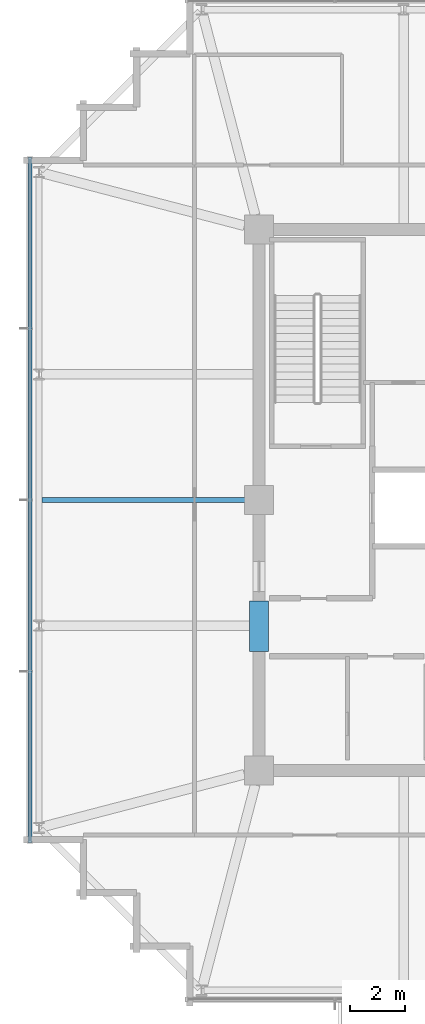
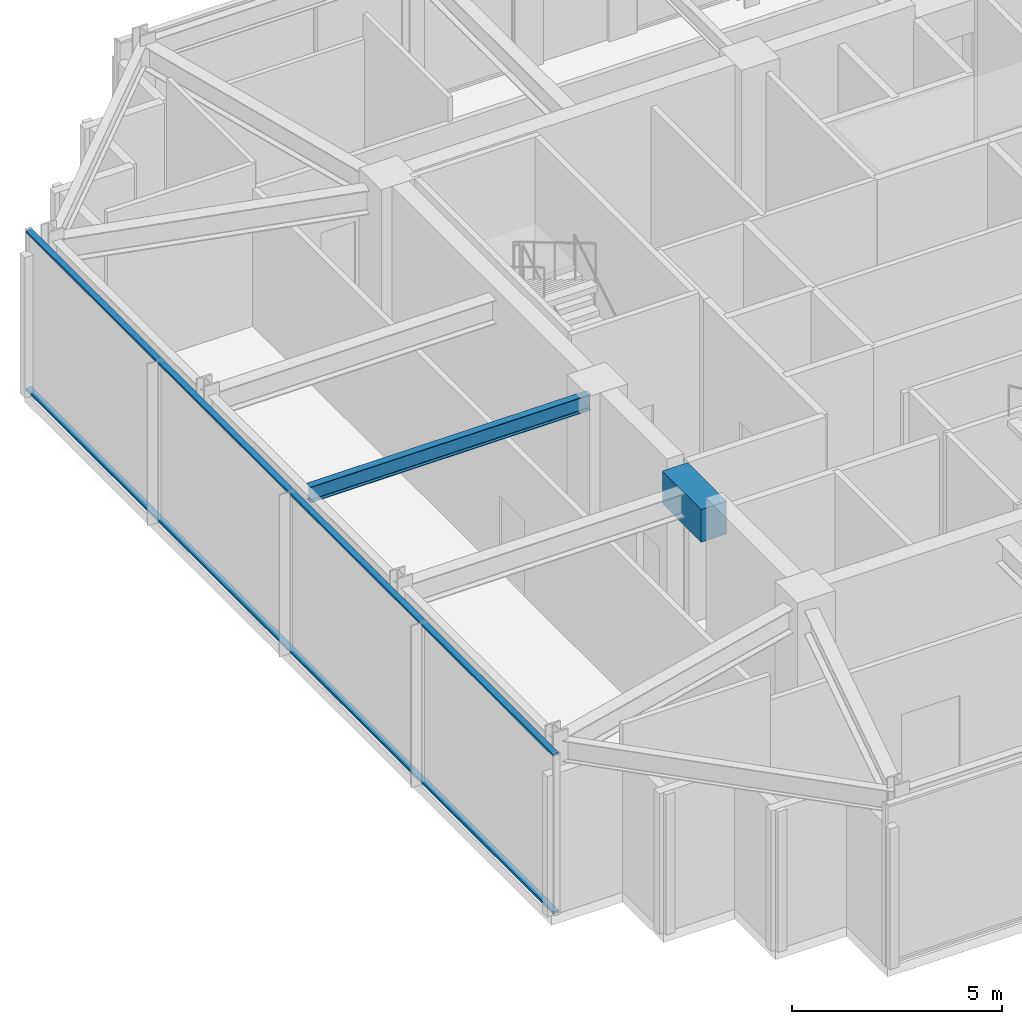
# One storey, part 8 of 31: 2 beams, 2 members, 1 element without a shape of its own.
"""IFC4 building model written with IfcOpenShell, lengths in metres."""

import ifcopenshell
import ifcopenshell.guid

model = None  # the IFC model being written
_history = None  # IfcOwnerHistory: only IFC2X3 demands one
_inside = {}  # id of a spatial element -> (the spatial element, [elements in it])
_under = {}  # id of a project, library or spatial element -> (it, [spatial elements below it])
_declared = {}  # id of a project -> (the project, [libraries it declares])
_typed = {}  # id of a type object -> (the type object, [elements of that type])
_made_of = {}  # id of a material, layer set ... -> (it, [elements and type objects made of it])


def new_model(schema):
    """Start an empty IFC model of exactly this schema.

    Asked for "IFC4X3", IfcOpenShell would pick the latest addendum, in which some entities
    have other attributes; the version numbers below select the first issue.
    IFC2X3 requires an IfcOwnerHistory on every rooted entity: one is made here for all.
    """
    global model, _history
    if schema == "IFC4X3":
        model = ifcopenshell.file(schema_version=(4, 3, 0, 0))
    else:
        model = ifcopenshell.file(schema=schema)
    _inside.clear()
    _under.clear()
    _declared.clear()
    _typed.clear()
    _made_of.clear()
    _history = None
    if model.schema == "IFC2X3":
        org = make("IfcOrganization", Name="unknown")
        user = make(
            "IfcPersonAndOrganization",
            ThePerson=make("IfcPerson", FamilyName="unknown"),
            TheOrganization=org,
        )
        app = make(
            "IfcApplication",
            ApplicationDeveloper=org,
            Version="unknown",
            ApplicationFullName="unknown",
            ApplicationIdentifier="unknown",
        )
        _history = make(
            "IfcOwnerHistory",
            OwningUser=user,
            OwningApplication=app,
            ChangeAction="ADDED",
            CreationDate=0,
        )
    return model


def make(cls, **values):
    """One entity of the class cls with the attributes given. An attribute that is None is left unset."""
    return model.create_entity(
        cls, **{name: value for name, value in values.items() if value is not None}
    )


def rooted(cls, **values):
    """An entity with a GlobalId (a new one), such as an element, a storey or a relation."""
    return make(cls, GlobalId=ifcopenshell.guid.new(), OwnerHistory=_history, **values)


def si_unit(unit_type, name, prefix=None):
    """IfcSIUnit, for example si_unit("LENGTHUNIT", "METRE", prefix="MILLI")."""
    return make("IfcSIUnit", UnitType=unit_type, Prefix=prefix, Name=name)


def assignment(units):
    """IfcUnitAssignment: the units of a project."""
    return None if units is None else make("IfcUnitAssignment", Units=units)


def point(xyz):
    """IfcCartesianPoint."""
    return None if xyz is None else make("IfcCartesianPoint", Coordinates=xyz)


def direction(xyz):
    """IfcDirection."""
    return None if xyz is None else make("IfcDirection", DirectionRatios=xyz)


def frame(location, z_axis=None, x_axis=None):
    """IfcAxis2Placement3D, a coordinate frame: its origin and axes. An axis left out is left unset."""
    return make(
        "IfcAxis2Placement3D",
        Location=point(location),
        Axis=direction(z_axis),
        RefDirection=direction(x_axis),
    )


def frame_2d(location, x_axis=None):
    """IfcAxis2Placement2D, a coordinate frame in the plane: its origin and x axis."""
    return make(
        "IfcAxis2Placement2D", Location=point(location), RefDirection=direction(x_axis)
    )


def origin():
    """The frame at (0, 0, 0) with its axes left unset."""
    return frame((0.0, 0.0, 0.0))


def origin_2d():
    """The frame at (0, 0) in the plane with its x axis left unset."""
    return frame_2d((0.0, 0.0))


def place(relative_to, where):
    """IfcLocalPlacement: puts the frame where relative to a parent placement (None: the world)."""
    return make(
        "IfcLocalPlacement", PlacementRelTo=relative_to, RelativePlacement=where
    )


def context(
    kind, dimensions, precision=None, world=None, true_north=None, identifier=None
):
    """IfcGeometricRepresentationContext, for example the 3D "Model" context."""
    return make(
        "IfcGeometricRepresentationContext",
        ContextIdentifier=identifier,
        ContextType=kind,
        CoordinateSpaceDimension=dimensions,
        Precision=precision,
        WorldCoordinateSystem=world,
        TrueNorth=true_north,
    )


def subcontext(parent, identifier, kind, view, scale=None):
    """IfcGeometricRepresentationSubContext, for example "Body" below "Model"."""
    return make(
        "IfcGeometricRepresentationSubContext",
        ContextIdentifier=identifier,
        ContextType=kind,
        ParentContext=parent,
        TargetScale=scale,
        TargetView=view,
    )


def project(units=None, contexts=None):
    """IfcProject with its units and contexts."""
    return rooted(
        "IfcProject",
        Name="project",
        RepresentationContexts=contexts,
        UnitsInContext=assignment(units),
    )


def spatial(cls, under=None, at=None, **own):
    """A site, building, storey or space (cls), placed at a placement, below another one or the project."""
    s = rooted(cls, ObjectPlacement=at, **own)
    if under is not None:
        _under.setdefault(under.id(), (under, []))[1].append(s)
    return s


def profile(cls, at=None, kind="AREA", **sizes):
    """A parametric profile (cls). Its sizes go by their IFC names, for example OverallWidth=200.0."""
    return make(cls, ProfileType=kind, Position=at, **sizes)


def rectangle(**sizes):
    """IfcRectangleProfileDef."""
    return profile("IfcRectangleProfileDef", **sizes)


def hollow_rectangle(**sizes):
    """IfcRectangleHollowProfileDef."""
    return profile("IfcRectangleHollowProfileDef", **sizes)


def i_section(**sizes):
    """IfcIShapeProfileDef."""
    return profile("IfcIShapeProfileDef", **sizes)


def extrude(swept, where, along, depth):
    """IfcExtrudedAreaSolid: the profile swept, set in the frame where, extruded along a direction by depth."""
    return make(
        "IfcExtrudedAreaSolid",
        SweptArea=swept,
        Position=where,
        ExtrudedDirection=direction(along),
        Depth=depth,
    )


def shape(context_of_items, identifier, shape_type, items):
    """IfcShapeRepresentation: the items that make up one representation, for example the "Body"."""
    return make(
        "IfcShapeRepresentation",
        ContextOfItems=context_of_items,
        RepresentationIdentifier=identifier,
        RepresentationType=shape_type,
        Items=items,
    )


def material(Name=None, Category=None):
    """IfcMaterial."""
    return make("IfcMaterial", Name=Name, Category=Category)


def material_profile(
    of_material, cross_section, Name=None, Category=None, Priority=None
):
    """IfcMaterialProfile: a cross section and its material."""
    return make(
        "IfcMaterialProfile",
        Name=Name,
        Material=of_material,
        Profile=cross_section,
        Priority=Priority,
        Category=Category,
    )


def profile_set(profiles, Name=None, composite=None):
    """IfcMaterialProfileSet."""
    return make(
        "IfcMaterialProfileSet",
        Name=Name,
        MaterialProfiles=profiles,
        CompositeProfile=composite,
    )


def made_of(thing, what):
    """Note that an element or type object is made of a material, layer set ...; save() writes the relation."""
    if what is not None:
        _made_of.setdefault(what.id(), (what, []))[1].append(thing)
    return thing


def type_object(cls, material=None, **own):
    """A type object (cls), such as IfcWallType, which elements share."""
    return made_of(rooted(cls, **own), material)


def element(
    cls,
    number,
    at=None,
    inside=None,
    cuts=None,
    type_object=None,
    material=None,
    context=None,
    identifier="Body",
    shape_type=None,
    held_by="IfcProductDefinitionShape",
    body=None,
    shapes=None,
    **own,
):
    """One element of the class cls, such as IfcWall. Its Tag is "e" and its number.

    at: its placement. inside: the storey or other place that contains it. cuts: it is an
    opening in that element (IfcRelVoidsElement). A single representation is given by context,
    identifier, shape_type and body (its items); several are given by shapes. held_by: the class
    of the entity that holds the representations. save() writes the other relations.
    """
    e = rooted(cls, Tag="e%d" % number, ObjectPlacement=at, **own)
    if body is not None:
        shapes = [shape(context, identifier, shape_type, body)]
    if shapes is not None:
        e.Representation = make(held_by, Representations=shapes)
    if inside is not None:
        _inside.setdefault(inside.id(), (inside, []))[1].append(e)
    if cuts is not None:
        rooted(
            "IfcRelVoidsElement", RelatingBuildingElement=cuts, RelatedOpeningElement=e
        )
    if type_object is not None:
        _typed.setdefault(type_object.id(), (type_object, []))[1].append(e)
    return made_of(e, material)


def aggregate(whole, parts):
    """IfcRelAggregates: a whole, such as a stair, and the parts it consists of."""
    return rooted("IfcRelAggregates", RelatingObject=whole, RelatedObjects=parts)


def save(model, path):
    """Write the relations noted so far, then the file.

    IfcRelAggregates (storeys below a building ...), IfcRelContainedInSpatialStructure (elements
    in a storey), IfcRelDefinesByType, IfcRelAssociatesMaterial and IfcRelDeclares: one each for
    every whole, place, type object, material and project.
    """
    for whole, parts in _under.values():
        aggregate(whole, parts)
    for where, things in _inside.values():
        rooted(
            "IfcRelContainedInSpatialStructure",
            RelatedElements=things,
            RelatingStructure=where,
        )
    for kind, things in _typed.values():
        rooted("IfcRelDefinesByType", RelatedObjects=things, RelatingType=kind)
    for what, things in _made_of.values():
        rooted("IfcRelAssociatesMaterial", RelatedObjects=things, RelatingMaterial=what)
    for by, libraries in _declared.values():
        rooted("IfcRelDeclares", RelatingContext=by, RelatedDefinitions=libraries)
    model.write(path)


model = new_model("IFC4")

# Units and contexts
model_context = context("Model", 3, precision=1e-05, world=origin(), true_north=direction((0.0, 1.0)))
body_context = subcontext(model_context, "Body", "Model", "MODEL_VIEW")
ifc_project = project(units=[si_unit("LENGTHUNIT", "METRE"), si_unit("AREAUNIT", "SQUARE_METRE"), si_unit("VOLUMEUNIT", "CUBIC_METRE"), si_unit("PLANEANGLEUNIT", "RADIAN"), si_unit("MASSUNIT", "GRAM", prefix="KILO")], contexts=[model_context])

# Site, building, storey
site_placement = place(None, origin())
site = spatial("IfcSite", under=ifc_project, at=site_placement, CompositionType="ELEMENT")
building_placement = place(site_placement, origin())
building = spatial("IfcBuilding", under=site, at=building_placement, Name="Kolvaren Belvedere", CompositionType="ELEMENT")
storey_placement = place(building_placement, frame((0.0, 0.0, 267.39990234375)))
storey = spatial("IfcBuildingStorey", under=building, at=storey_placement, Name="L77", CompositionType="ELEMENT", Elevation=267.39990234375)

# Beams
ifc_material_1 = material(Name="Structural steel ASTM A992 Grade 50", Category="steel")
ifc_material_profile_1 = material_profile(ifc_material_1, i_section(OverallWidth=0.19091796875, OverallDepth=0.4599609375, WebThickness=0.010009765625, FlangeThickness=0.01611328125, FilletRadius=0.014892578125, at=origin_2d()), Name="W18X55")
ifc_profile_set_1 = profile_set([ifc_material_profile_1], Name="Structural steel ASTM A992 Grade 50")
beam_type_1 = type_object("IfcBeamType", Name="BM-JOIST-W18X55", PredefinedType="BEAM", material=ifc_profile_set_1)
beam_1_placement = place(storey_placement, frame((-10.125, 0.0, 4.47021484375), z_axis=(-1.0, 0.0, 0.0), x_axis=(0.0, -1.0, 0.0)))
element("IfcBeam", 1, at=beam_1_placement, inside=storey, type_object=beam_type_1, Name="L77 West Centre Floor Beam", PredefinedType="BEAM", context=body_context, shape_type="SweptSolid", body=[
    extrude(i_section(OverallWidth=0.19091796875, OverallDepth=0.4599609375, WebThickness=0.010009765625, FlangeThickness=0.01611328125, FilletRadius=0.014892578125, at=origin_2d()), origin(), (0.0, 0.0, 1.0), 7.71044921875),
])
ifc_material_2 = material(Name="Concrete C60/75", Category="concrete")
ifc_material_profile_2 = material_profile(ifc_material_2, rectangle(XDim=0.699951171875, YDim=0.949951171875, at=origin_2d()), Name="RC 700X950")
ifc_profile_set_2 = profile_set([ifc_material_profile_2], Name="Concrete C60/75")
beam_type_2 = type_object("IfcBeamType", Name="BM-LINT-950", PredefinedType="LINTEL", material=ifc_profile_set_2)
beam_2_placement = place(storey_placement, frame((-9.89990234375, -5.550048828125, 4.22509765625), z_axis=(0.0, 1.0, 0.0), x_axis=(-1.0, 0.0, 0.0)))
element("IfcBeam", 2, at=beam_2_placement, inside=storey, type_object=beam_type_2, Name="L77 West Core Coupling Lintel", PredefinedType="LINTEL", context=body_context, shape_type="SweptSolid", body=[
    extrude(rectangle(XDim=0.699951171875, YDim=0.949951171875, at=origin_2d()), origin(), (0.0, 0.0, 1.0), 1.85009765625),
])

# Curtain wall, members
ifc_material_3 = material(Name="Anodised pale-metal aluminium AA 6063-T6", Category="aluminium")
curtain_wall_type = type_object("IfcCurtainWallType", Name="CW-CRN-OBS", PredefinedType="NOTDEFINED", material=ifc_material_3)
curtain_wall_placement = place(storey_placement, origin())
curtain_wall = element("IfcCurtainWall", 3, at=curtain_wall_placement, inside=storey, type_object=curtain_wall_type, Name="L77 Unitised Curtain Wall FCW-L77-W", PredefinedType="NOTDEFINED")
ifc_material_4 = material(Name="Anodised pale-metal aluminium AA 6063-T6", Category="aluminium")
ifc_material_profile_3 = material_profile(ifc_material_4, hollow_rectangle(XDim=0.06494140625, YDim=0.159912109375, WallThickness=0.00390625, at=origin_2d()), Name="ALU-TRN-160X65")
ifc_profile_set_3 = profile_set([ifc_material_profile_3], Name="Anodised pale-metal aluminium AA 6063-T6")
member_type = type_object("IfcMemberType", Name="CW-TRN-160", PredefinedType="USERDEFINED", material=ifc_profile_set_3)
member_1_placement = place(storey_placement, frame((-18.280029296875, -12.550048828125, 0.06005859375), z_axis=(0.0, 1.0, 0.0), x_axis=(0.0, 0.0, 1.0)))
member_1 = element("IfcMember", 4, at=member_1_placement, type_object=member_type, Name="FCW-L77-W Sill Transom", ObjectType="TRANSOM", PredefinedType="USERDEFINED", context=body_context, shape_type="SweptSolid", body=[
    extrude(hollow_rectangle(XDim=0.06494140625, YDim=0.159912109375, WallThickness=0.00390625, at=origin_2d()), origin(), (0.0, 0.0, 1.0), 25.10009765625),
])
member_2_placement = place(storey_placement, frame((-18.280029296875, -12.550048828125, 4.64013671875), z_axis=(0.0, 1.0, 0.0), x_axis=(0.0, 0.0, 1.0)))
member_2 = element("IfcMember", 5, at=member_2_placement, type_object=member_type, Name="FCW-L77-W Head Transom", ObjectType="TRANSOM", PredefinedType="USERDEFINED", context=body_context, shape_type="SweptSolid", body=[
    extrude(hollow_rectangle(XDim=0.06494140625, YDim=0.159912109375, WallThickness=0.00390625, at=origin_2d()), origin(), (0.0, 0.0, 1.0), 25.10009765625),
])
aggregate(curtain_wall, [member_1, member_2])

save(model, "model.ifc")
